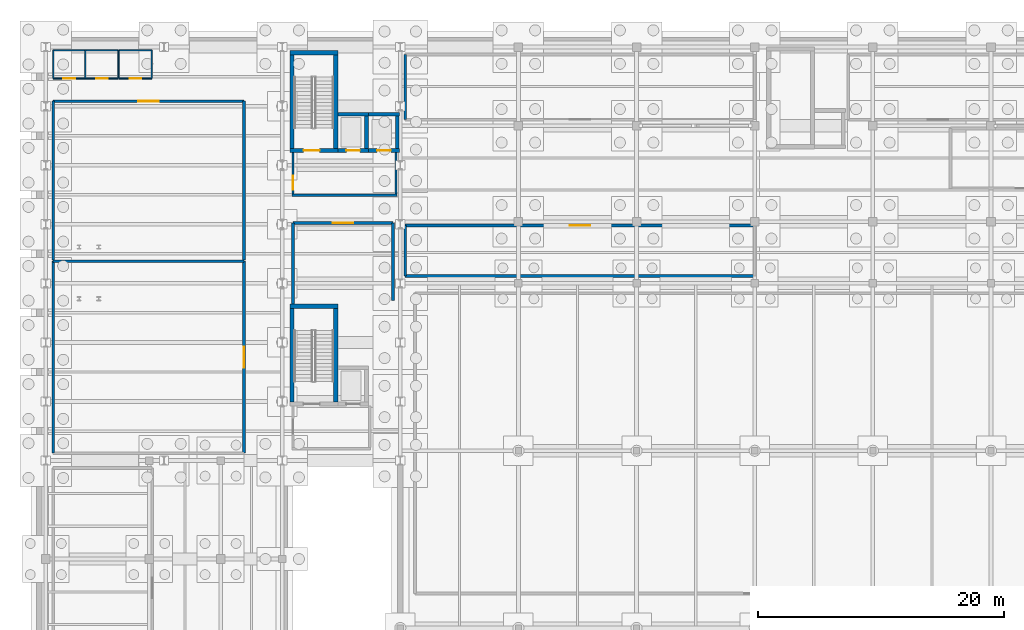
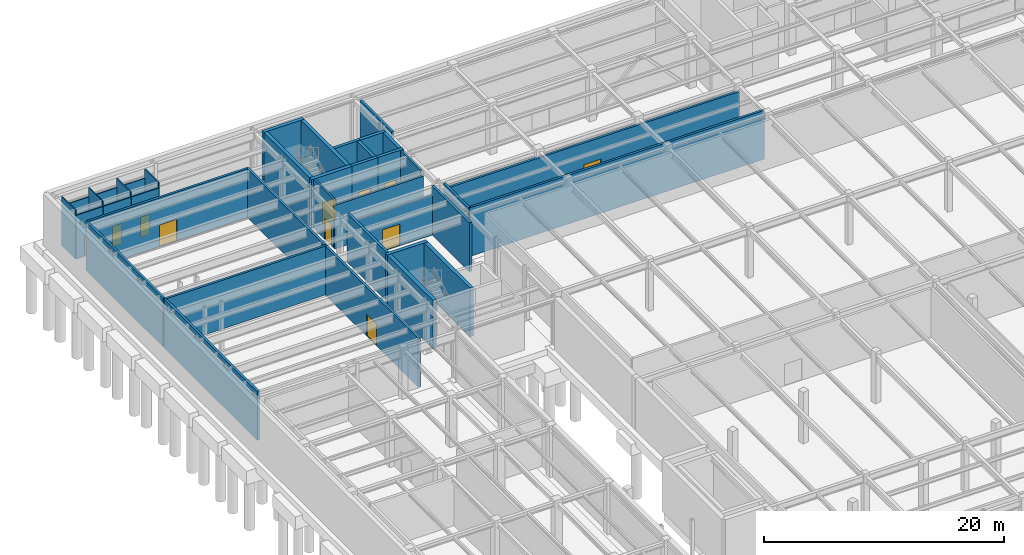
# One storey, part 26 of 33: 39 walls, 11 doors, 11 openings.
"""IFC4 building model written with IfcOpenShell, lengths in metres."""

from ifc_helpers import new_model, si_unit, direction, frame, frame_2d, origin, place, context, subcontext, project, spatial, rectangle, extrude, material, layer, layer_set, type_object, element, fill, save


model = new_model("IFC4")

# Units and contexts
model_context = context("Model", 3, precision=1e-05, world=origin(), true_north=direction((0.0, 1.0)))
body_context = subcontext(model_context, "Body", "Model", "MODEL_VIEW")
ifc_project = project(units=[si_unit("LENGTHUNIT", "METRE"), si_unit("AREAUNIT", "SQUARE_METRE"), si_unit("VOLUMEUNIT", "CUBIC_METRE"), si_unit("PLANEANGLEUNIT", "RADIAN"), si_unit("MASSUNIT", "GRAM", prefix="KILO")], contexts=[model_context])

# Site, building, storey
site_placement = place(None, origin())
site = spatial("IfcSite", under=ifc_project, at=site_placement, CompositionType="ELEMENT")
building_placement = place(site_placement, origin())
building = spatial("IfcBuilding", under=site, at=building_placement, Name="Nordkorset Police Headquarters", CompositionType="ELEMENT")
storey_placement = place(building_placement, frame((0.0, 0.0, -9.800048828125)))
storey = spatial("IfcBuildingStorey", under=building, at=storey_placement, Name="B02", CompositionType="ELEMENT", Elevation=-9.800048828125)

# Wall
ifc_material_1 = material(Name="Gypsum board", Category="gypsum")
ifc_layer_1 = layer(ifc_material_1, 0.179931640625, Name="Gypsum board")
ifc_layer_set_1 = layer_set([ifc_layer_1], Name="Gypsum board")
wall_type_1 = type_object("IfcWallType", Name="Wall_Comp_180", PredefinedType="PARTITIONING", material=ifc_layer_set_1)
wall_1_placement = place(storey_placement, frame((20.0, 104.760009765625, 0.0), z_axis=(0.0, 0.0, 1.0), x_axis=(1.0, 0.0, 0.0)))
element("IfcWall", 1, at=wall_1_placement, inside=storey, type_object=wall_type_1, Name="Firefighting Lobby EI 60 Wall K1 B02 S", PredefinedType="PARTITIONING", context=body_context, shape_type="SweptSolid", body=[
    extrude(rectangle(XDim=8.550048828125, YDim=0.179931640625, at=frame_2d((4.27490234375, 0.0))), origin(), (0.0, 0.0, 1.0), 4.449951171875),
])

# Wall, opening, door
wall_2_placement = place(storey_placement, frame((20.090087890625, 104.85009765625, 0.0), z_axis=(0.0, 0.0, 1.0), x_axis=(0.0, 1.0, 0.0)))
wall_2 = element("IfcWall", 2, at=wall_2_placement, inside=storey, type_object=wall_type_1, Name="Firefighting Lobby EI 60 Wall K1 B02 W", PredefinedType="PARTITIONING", context=body_context, shape_type="SweptSolid", body=[
    extrude(rectangle(XDim=3.375, YDim=0.179931640625, at=frame_2d((1.6875, 0.0))), origin(), (0.0, 0.0, 1.0), 4.969970703125),
])
opening_1_placement = place(wall_2_placement, frame((0.35009765625, 0.0, 0.0)))
opening_1 = element("IfcOpeningElement", 3, at=opening_1_placement, cuts=wall_2, Name="Opening DR-01", PredefinedType="OPENING", context=body_context, shape_type="SweptSolid", body=[
    extrude(rectangle(XDim=1.14990234375, YDim=2.14990234375, at=frame_2d((0.574951171875, 1.074951171875))), frame((0.0, 0.10009765625, 0.0), z_axis=(0.0, -1.0, 0.0), x_axis=(1.0, 0.0, 0.0)), (0.0, 0.0, 1.0), 0.199951171875),
])
ifc_material_2 = material(Name="Steel S355J2", Category="steel")
door_type_1 = type_object("IfcDoorType", Name="Door_LobbySingle_1150x2150", OperationType="NOTDEFINED", PredefinedType="DOOR", material=ifc_material_2)
door_1_placement = place(opening_1_placement, origin())
door_1 = element("IfcDoor", 4, at=door_1_placement, inside=storey, type_object=door_type_1, Name="Firefighting Lobby Smoke Door K1 B02 W", OperationType="SINGLE_SWING_LEFT", OverallHeight=2.14990234375, OverallWidth=1.14990234375, PredefinedType="DOOR", context=body_context, shape_type="SweptSolid", body=[
    extrude(rectangle(XDim=1.14990234375, YDim=2.14990234375, at=frame_2d((0.574951171875, 1.074951171875))), frame((0.0, 0.02490234375, 0.0), z_axis=(0.0, -1.0, 0.0), x_axis=(1.0, 0.0, 0.0)), (0.0, 0.0, 1.0), 0.050048828125),
])
fill(opening_1, door_1)

# Wall
wall_3_placement = place(storey_placement, frame((28.4599609375, 104.85009765625, 0.0), z_axis=(0.0, 0.0, 1.0), x_axis=(0.0, 1.0, 0.0)))
element("IfcWall", 5, at=wall_3_placement, inside=storey, type_object=wall_type_1, Name="Firefighting Lobby EI 60 Wall K1 B02 E", PredefinedType="PARTITIONING", context=body_context, shape_type="SweptSolid", body=[
    extrude(rectangle(XDim=3.375, YDim=0.179931640625, at=frame_2d((1.6875, 0.0))), origin(), (0.0, 0.0, 1.0), 4.969970703125),
])

# Wall, opening, door
ifc_material_3 = material(Name="Gypsum board", Category="gypsum")
ifc_layer_2 = layer(ifc_material_3, 0.219970703125, Name="Gypsum board")
ifc_layer_set_2 = layer_set([ifc_layer_2], Name="Gypsum board")
wall_type_2 = type_object("IfcWallType", Name="Wall_Comp_220", PredefinedType="PARTITIONING", material=ifc_layer_set_2)
wall_4_placement = place(storey_placement, frame((16.10009765625, 83.800048828125, 0.0), z_axis=(0.0, 0.0, 1.0), x_axis=(0.0, 1.0, 0.0)))
wall_4 = element("IfcWall", 6, at=wall_4_placement, inside=storey, type_object=wall_type_2, Name="Interior Partition Wall Sprinkler Water Tank Room", PredefinedType="PARTITIONING", context=body_context, shape_type="SweptSolid", body=[
    extrude(rectangle(XDim=15.599853515625, YDim=0.219970703125, at=frame_2d((7.7998046875, 0.0))), origin(), (0.0, 0.0, 1.0), 4.969970703125),
])
opening_2_placement = place(wall_4_placement, frame((6.9599609375, 0.0, 0.0)))
opening_2 = element("IfcOpeningElement", 7, at=opening_2_placement, cuts=wall_4, Name="Opening DR-15", PredefinedType="OPENING", context=body_context, shape_type="SweptSolid", body=[
    extrude(rectangle(XDim=1.679931640625, YDim=2.199951171875, at=frame_2d((0.83984375, 1.10009765625))), frame((0.0, 0.1201171875, 0.0), z_axis=(0.0, -1.0, 0.0), x_axis=(1.0, 0.0, 0.0)), (0.0, 0.0, 1.0), 0.239990234375),
])
ifc_material_4 = material(Name="Steel S355J2", Category="steel")
door_type_2 = type_object("IfcDoorType", Name="Door_PlantDouble_1680x2200", OperationType="DOUBLE_DOOR_SINGLE_SWING", PredefinedType="DOOR", material=ifc_material_4)
door_2_placement = place(opening_2_placement, origin())
door_2 = element("IfcDoor", 8, at=door_2_placement, inside=storey, type_object=door_type_2, Name="Interior Door Sprinkler Water Tank Room", OperationType="DOUBLE_DOOR_SINGLE_SWING", OverallHeight=2.199951171875, OverallWidth=1.679931640625, PredefinedType="DOOR", context=body_context, shape_type="SweptSolid", body=[
    extrude(rectangle(XDim=1.679931640625, YDim=2.199951171875, at=frame_2d((0.83984375, 1.10009765625))), frame((0.0, 0.02490234375, 0.0), z_axis=(0.0, -1.0, 0.0), x_axis=(1.0, 0.0, 0.0)), (0.0, 0.0, 1.0), 0.050048828125),
])
fill(opening_2, door_2)

# Walls
wall_5_placement = place(storey_placement, frame((16.10009765625, 99.39990234375, 0.0), z_axis=(0.0, 0.0, 1.0), x_axis=(-1.0, 0.0, 0.0)))
element("IfcWall", 9, at=wall_5_placement, inside=storey, type_object=wall_type_2, Name="Interior Partition Wall Sprinkler Water Tank Room", PredefinedType="PARTITIONING", context=body_context, shape_type="SweptSolid", body=[
    extrude(rectangle(XDim=15.5, YDim=0.219970703125, at=frame_2d((7.75, 0.0))), origin(), (0.0, 0.0, 1.0), 4.969970703125),
])
wall_6_placement = place(storey_placement, frame((0.60009765625, 99.39990234375, 0.0), z_axis=(0.0, 0.0, 1.0), x_axis=(0.0, -1.0, 0.0)))
element("IfcWall", 10, at=wall_6_placement, inside=storey, type_object=wall_type_2, Name="Interior Partition Wall Sprinkler Water Tank Room", PredefinedType="PARTITIONING", context=body_context, shape_type="SweptSolid", body=[
    extrude(rectangle(XDim=15.599853515625, YDim=0.219970703125, at=frame_2d((7.7998046875, 0.0))), origin(), (0.0, 0.0, 1.0), 4.969970703125),
])
wall_7_placement = place(storey_placement, frame((16.10009765625, 99.5048828125, 0.0), z_axis=(0.0, 0.0, 1.0), x_axis=(0.0, 1.0, 0.0)))
element("IfcWall", 11, at=wall_7_placement, inside=storey, type_object=wall_type_2, Name="Interior Partition Wall District Heating Substation", PredefinedType="PARTITIONING", context=body_context, shape_type="SweptSolid", body=[
    extrude(rectangle(XDim=12.89501953125, YDim=0.219970703125, at=frame_2d((6.447509765625, 0.0))), origin(), (0.0, 0.0, 1.0), 4.969970703125),
])

# Wall, opening, door
wall_8_placement = place(storey_placement, frame((16.10009765625, 112.39990234375, 0.0), z_axis=(0.0, 0.0, 1.0), x_axis=(-1.0, 0.0, 0.0)))
wall_8 = element("IfcWall", 12, at=wall_8_placement, inside=storey, type_object=wall_type_2, Name="Interior Partition Wall District Heating Substation", PredefinedType="PARTITIONING", context=body_context, shape_type="SweptSolid", body=[
    extrude(rectangle(XDim=15.5, YDim=0.219970703125, at=frame_2d((7.75, 0.0))), origin(), (0.0, 0.0, 1.0), 4.969970703125),
])
opening_3_placement = place(wall_8_placement, frame((6.909912109375, 0.0, 0.0)))
opening_3 = element("IfcOpeningElement", 13, at=opening_3_placement, cuts=wall_8, Name="Opening DR-15", PredefinedType="OPENING", context=body_context, shape_type="SweptSolid", body=[
    extrude(rectangle(XDim=1.679931640625, YDim=2.199951171875, at=frame_2d((0.83984375, 1.10009765625))), frame((0.0, 0.1201171875, 0.0), z_axis=(0.0, -1.0, 0.0), x_axis=(1.0, 0.0, 0.0)), (0.0, 0.0, 1.0), 0.239990234375),
])
door_3_placement = place(opening_3_placement, frame((1.679931640625, 0.0, 0.0), z_axis=(0.0, 0.0, 1.0), x_axis=(-1.0, 0.0, 0.0)))
door_3 = element("IfcDoor", 14, at=door_3_placement, inside=storey, type_object=door_type_2, Name="Interior Door District Heating Substation", OperationType="DOUBLE_DOOR_SINGLE_SWING", OverallHeight=2.199951171875, OverallWidth=1.679931640625, PredefinedType="DOOR", context=body_context, shape_type="SweptSolid", body=[
    extrude(rectangle(XDim=1.679931640625, YDim=2.199951171875, at=frame_2d((0.83984375, 1.10009765625))), frame((0.0, 0.02490234375, 0.0), z_axis=(0.0, -1.0, 0.0), x_axis=(1.0, 0.0, 0.0)), (0.0, 0.0, 1.0), 0.050048828125),
])
fill(opening_3, door_3)

# Walls
wall_9_placement = place(storey_placement, frame((0.60009765625, 112.39990234375, 0.0), z_axis=(0.0, 0.0, 1.0), x_axis=(0.0, -1.0, 0.0)))
element("IfcWall", 15, at=wall_9_placement, inside=storey, type_object=wall_type_2, Name="Interior Partition Wall District Heating Substation", PredefinedType="PARTITIONING", context=body_context, shape_type="SweptSolid", body=[
    extrude(rectangle(XDim=12.89501953125, YDim=0.219970703125, at=frame_2d((6.447509765625, 0.0))), origin(), (0.0, 0.0, 1.0), 4.969970703125),
])
wall_10_placement = place(storey_placement, frame((29.199951171875, 116.199951171875, 0.0), z_axis=(0.0, 0.0, 1.0), x_axis=(0.0, -1.0, 0.0)))
element("IfcWall", 16, at=wall_10_placement, inside=storey, type_object=wall_type_2, Name="Interior Partition Wall Compact Mobile Shelving Archive West", PredefinedType="PARTITIONING", context=body_context, shape_type="SweptSolid", body=[
    extrude(rectangle(XDim=5.300048828125, YDim=0.219970703125, at=frame_2d((2.64990234375, 0.0))), origin(), (0.0, 0.0, 1.0), 4.969970703125),
])
wall_11_placement = place(storey_placement, frame((29.199951171875, 98.199951171875, 0.0), z_axis=(0.0, 0.0, 1.0), x_axis=(1.0, 0.0, 0.0)))
element("IfcWall", 17, at=wall_11_placement, inside=storey, type_object=wall_type_2, Name="Interior Partition Wall Main Switchgear Plant Room", PredefinedType="PARTITIONING", context=body_context, shape_type="SweptSolid", body=[
    extrude(rectangle(XDim=28.400146484375, YDim=0.219970703125, at=frame_2d((14.2001953125, 0.0))), origin(), (0.0, 0.0, 1.0), 4.969970703125),
])

# Wall, opening, door
wall_12_placement = place(storey_placement, frame((57.60009765625, 102.300048828125, 0.0), z_axis=(0.0, 0.0, 1.0), x_axis=(-1.0, 0.0, 0.0)))
wall_12 = element("IfcWall", 18, at=wall_12_placement, inside=storey, type_object=wall_type_2, Name="Interior Partition Wall Main Switchgear Plant Room", PredefinedType="PARTITIONING", context=body_context, shape_type="SweptSolid", body=[
    extrude(rectangle(XDim=28.400146484375, YDim=0.219970703125, at=frame_2d((14.2001953125, 0.0))), origin(), (0.0, 0.0, 1.0), 4.41015625),
])
opening_4_placement = place(wall_12_placement, frame((13.360107421875, 0.0, 0.0)))
opening_4 = element("IfcOpeningElement", 19, at=opening_4_placement, cuts=wall_12, Name="Opening DR-15", PredefinedType="OPENING", context=body_context, shape_type="SweptSolid", body=[
    extrude(rectangle(XDim=1.679931640625, YDim=2.199951171875, at=frame_2d((0.83984375, 1.10009765625))), frame((0.0, 0.1201171875, 0.0), z_axis=(0.0, -1.0, 0.0), x_axis=(1.0, 0.0, 0.0)), (0.0, 0.0, 1.0), 0.239990234375),
])
door_4_placement = place(opening_4_placement, origin())
door_4 = element("IfcDoor", 20, at=door_4_placement, inside=storey, type_object=door_type_2, Name="Interior Door Main Switchgear Plant Room", OperationType="DOUBLE_DOOR_SINGLE_SWING", OverallHeight=2.199951171875, OverallWidth=1.679931640625, PredefinedType="DOOR", context=body_context, shape_type="SweptSolid", body=[
    extrude(rectangle(XDim=1.679931640625, YDim=2.199951171875, at=frame_2d((0.83984375, 1.10009765625))), frame((0.0, 0.02490234375, 0.0), z_axis=(0.0, -1.0, 0.0), x_axis=(1.0, 0.0, 0.0)), (0.0, 0.0, 1.0), 0.050048828125),
])
fill(opening_4, door_4)

# Wall
wall_13_placement = place(storey_placement, frame((29.199951171875, 102.300048828125, 0.0), z_axis=(0.0, 0.0, 1.0), x_axis=(0.0, -1.0, 0.0)))
element("IfcWall", 21, at=wall_13_placement, inside=storey, type_object=wall_type_2, Name="Interior Partition Wall Main Switchgear Plant Room", PredefinedType="PARTITIONING", context=body_context, shape_type="SweptSolid", body=[
    extrude(rectangle(XDim=4.10009765625, YDim=0.219970703125, at=frame_2d((2.050048828125, 0.0))), origin(), (0.0, 0.0, 1.0), 4.969970703125),
])

# Wall, opening, door
ifc_material_5 = material(Name="Concrete C35/45", Category="concrete")
ifc_layer_3 = layer(ifc_material_5, 0.35009765625, Name="Concrete C35/45")
ifc_layer_set_3 = layer_set([ifc_layer_3], Name="Concrete C35/45")
wall_type_3 = type_object("IfcWallType", Name="Wall_CoreShear_350", PredefinedType="SHEAR", material=ifc_layer_set_3)
wall_14_placement = place(storey_placement, frame((19.824951171875, 108.39990234375, 0.0), z_axis=(0.0, 0.0, 1.0), x_axis=(1.0, 0.0, 0.0)))
wall_14 = element("IfcWall", 22, at=wall_14_placement, inside=storey, type_object=wall_type_3, Name="Core K1 Stair Shaft South Shear Wall B02", PredefinedType="SHEAR", context=body_context, shape_type="SweptSolid", body=[
    extrude(rectangle(XDim=3.900146484375, YDim=0.35009765625, at=frame_2d((1.9501953125, 0.0))), origin(), (0.0, 0.0, 1.0), 4.969970703125),
])
opening_5_placement = place(wall_14_placement, frame((1.125, 0.0, 0.0)))
opening_5 = element("IfcOpeningElement", 23, at=opening_5_placement, cuts=wall_14, Name="Opening DR-20", PredefinedType="OPENING", context=body_context, shape_type="SweptSolid", body=[
    extrude(rectangle(XDim=1.300048828125, YDim=2.14990234375, at=frame_2d((0.64990234375, 1.074951171875))), frame((0.0, 0.18505859375, 0.0), z_axis=(0.0, -1.0, 0.0), x_axis=(1.0, 0.0, 0.0)), (0.0, 0.0, 1.0), 0.3701171875),
])
ifc_material_6 = material(Name="Steel S355J2", Category="steel")
door_type_3 = type_object("IfcDoorType", Name="Door_Stair_1300x2150", OperationType="NOTDEFINED", PredefinedType="DOOR", material=ifc_material_6)
door_5_placement = place(opening_5_placement, frame((1.300048828125, 0.0, 0.0), z_axis=(0.0, 0.0, 1.0), x_axis=(-1.0, 0.0, 0.0)))
door_5 = element("IfcDoor", 24, at=door_5_placement, inside=storey, type_object=door_type_3, Name="Protected Stair Fire Door ST-01 B02", OperationType="SINGLE_SWING_LEFT", OverallHeight=2.14990234375, OverallWidth=1.300048828125, PredefinedType="DOOR", context=body_context, shape_type="SweptSolid", body=[
    extrude(rectangle(XDim=1.300048828125, YDim=2.14990234375, at=frame_2d((0.64990234375, 1.074951171875))), frame((0.0, 0.02490234375, 0.0), z_axis=(0.0, -1.0, 0.0), x_axis=(1.0, 0.0, 0.0)), (0.0, 0.0, 1.0), 0.050048828125),
])
fill(opening_5, door_5)

# Walls
wall_15_placement = place(storey_placement, frame((19.824951171875, 116.35009765625, 0.0), z_axis=(0.0, 0.0, 1.0), x_axis=(1.0, 0.0, 0.0)))
element("IfcWall", 25, at=wall_15_placement, inside=storey, type_object=wall_type_3, Name="Core K1 Stair Shaft North Shear Wall B02", PredefinedType="SHEAR", context=body_context, shape_type="SweptSolid", body=[
    extrude(rectangle(XDim=3.900146484375, YDim=0.35009765625, at=frame_2d((1.9501953125, 0.0))), origin(), (0.0, 0.0, 1.0), 4.969970703125),
])
for number, where, z_axis, x_axis, name in (
    (26, (20.0, 108.574951171875, 0.0), (0.0, 0.0, 1.0), (0.0, 1.0, 0.0), "Core K1 Stair Shaft West Shear Wall B02"),
    (27, (23.550048828125, 108.574951171875, 0.0), (0.0, 0.0, 1.0), (0.0, 1.0, 0.0), "Core K1 Stair Shaft East Shear Wall B02"),
):
    element("IfcWall", number, at=place(storey_placement, frame(where, z_axis=z_axis, x_axis=x_axis)), inside=storey, type_object=wall_type_3, Name=name, PredefinedType="SHEAR", context=body_context, shape_type="SweptSolid", body=[
        extrude(rectangle(XDim=7.60009765625, YDim=0.35009765625, at=frame_2d((3.800048828125, 0.0))), origin(), (0.0, 0.0, 1.0), 4.969970703125),
    ])
wall_16_placement = place(storey_placement, frame((19.824951171875, 95.75, 0.0), z_axis=(0.0, 0.0, 1.0), x_axis=(1.0, 0.0, 0.0)))
element("IfcWall", 28, at=wall_16_placement, inside=storey, type_object=wall_type_3, Name="Core K3 Stair Shaft North Shear Wall B02", PredefinedType="SHEAR", context=body_context, shape_type="SweptSolid", body=[
    extrude(rectangle(XDim=3.900146484375, YDim=0.35009765625, at=frame_2d((1.9501953125, 0.0))), origin(), (0.0, 0.0, 1.0), 4.969970703125),
])
for number, where, z_axis, x_axis, name in (
    (29, (20.0, 87.97509765625, 0.0), (0.0, 0.0, 1.0), (0.0, 1.0, 0.0), "Core K3 Stair Shaft West Shear Wall B02"),
    (30, (23.550048828125, 87.97509765625, 0.0), (0.0, 0.0, 1.0), (0.0, 1.0, 0.0), "Core K3 Stair Shaft East Shear Wall B02"),
):
    element("IfcWall", number, at=place(storey_placement, frame(where, z_axis=z_axis, x_axis=x_axis)), inside=storey, type_object=wall_type_3, Name=name, PredefinedType="SHEAR", context=body_context, shape_type="SweptSolid", body=[
        extrude(rectangle(XDim=7.599853515625, YDim=0.35009765625, at=frame_2d((3.7998046875, 0.0))), origin(), (0.0, 0.0, 1.0), 4.969970703125),
    ])

# Wall, opening, door
ifc_material_7 = material(Name="Gypsum board", Category="gypsum")
ifc_layer_4 = layer(ifc_material_7, 0.10009765625, Name="Gypsum board")
ifc_layer_set_4 = layer_set([ifc_layer_4], Name="Gypsum board")
wall_type_4 = type_object("IfcWallType", Name="Wall_Part_100", PredefinedType="PARTITIONING", material=ifc_layer_set_4)
wall_17_placement = place(storey_placement, frame((0.60009765625, 114.25, 0.0), z_axis=(0.0, 0.0, 1.0), x_axis=(1.0, 0.0, 0.0)))
wall_17 = element("IfcWall", 31, at=wall_17_placement, inside=storey, type_object=wall_type_4, Name="Interior Partition Wall Accessible WC B02W", PredefinedType="PARTITIONING", context=body_context, shape_type="SweptSolid", body=[
    extrude(rectangle(XDim=2.599853515625, YDim=0.10009765625, at=frame_2d((1.2998046875, 0.0))), origin(), (0.0, 0.0, 1.0), 4.449951171875),
])
opening_6_placement = place(wall_17_placement, frame((0.800048828125, 0.0, 0.0)))
opening_6 = element("IfcOpeningElement", 32, at=opening_6_placement, cuts=wall_17, Name="Opening DR-23", PredefinedType="OPENING", context=body_context, shape_type="SweptSolid", body=[
    extrude(rectangle(XDim=1.0, YDim=2.080078125, at=frame_2d((0.5, 1.0400390625))), frame((0.0, 0.06005859375, 0.0), z_axis=(0.0, -1.0, 0.0), x_axis=(1.0, 0.0, 0.0)), (0.0, 0.0, 1.0), 0.1201171875),
])
ifc_material_8 = material(Name="Glulam GL30c", Category="wood")
door_type_4 = type_object("IfcDoorType", Name="Door_WCAccess_1000x2080", OperationType="NOTDEFINED", PredefinedType="DOOR", material=ifc_material_8)
door_6_placement = place(opening_6_placement, origin())
door_6 = element("IfcDoor", 33, at=door_6_placement, inside=storey, type_object=door_type_4, Name="Interior Door Accessible WC B02W", OperationType="SINGLE_SWING_LEFT", OverallHeight=2.080078125, OverallWidth=1.0, PredefinedType="DOOR", context=body_context, shape_type="SweptSolid", body=[
    extrude(rectangle(XDim=1.0, YDim=2.080078125, at=frame_2d((0.5, 1.0400390625))), frame((0.0, 0.02490234375, 0.0), z_axis=(0.0, -1.0, 0.0), x_axis=(1.0, 0.0, 0.0)), (0.0, 0.0, 1.0), 0.050048828125),
])
fill(opening_6, door_6)

# Walls
wall_18_placement = place(storey_placement, frame((3.199951171875, 114.25, 0.0), z_axis=(0.0, 0.0, 1.0), x_axis=(0.0, 1.0, 0.0)))
element("IfcWall", 34, at=wall_18_placement, inside=storey, type_object=wall_type_4, Name="Interior Partition Wall Accessible WC B02W", PredefinedType="PARTITIONING", context=body_context, shape_type="SweptSolid", body=[
    extrude(rectangle(XDim=2.300048828125, YDim=0.10009765625, at=frame_2d((1.14990234375, 0.0))), origin(), (0.0, 0.0, 1.0), 4.969970703125),
])
wall_19_placement = place(storey_placement, frame((3.199951171875, 116.550048828125, 0.0), z_axis=(0.0, 0.0, 1.0), x_axis=(-1.0, 0.0, 0.0)))
element("IfcWall", 35, at=wall_19_placement, inside=storey, type_object=wall_type_4, Name="Interior Partition Wall Accessible WC B02W", PredefinedType="PARTITIONING", context=body_context, shape_type="SweptSolid", body=[
    extrude(rectangle(XDim=2.599853515625, YDim=0.10009765625, at=frame_2d((1.2998046875, 0.0))), origin(), (0.0, 0.0, 1.0), 4.050048828125),
])
wall_20_placement = place(storey_placement, frame((0.60009765625, 116.550048828125, 0.0), z_axis=(0.0, 0.0, 1.0), x_axis=(0.0, -1.0, 0.0)))
element("IfcWall", 36, at=wall_20_placement, inside=storey, type_object=wall_type_4, Name="Interior Partition Wall Accessible WC B02W", PredefinedType="PARTITIONING", context=body_context, shape_type="SweptSolid", body=[
    extrude(rectangle(XDim=2.300048828125, YDim=0.10009765625, at=frame_2d((1.14990234375, 0.0))), origin(), (0.0, 0.0, 1.0), 4.969970703125),
])

# Wall, opening, door
wall_21_placement = place(storey_placement, frame((3.2451171875, 114.25, 0.0), z_axis=(0.0, 0.0, 1.0), x_axis=(1.0, 0.0, 0.0)))
wall_21 = element("IfcWall", 37, at=wall_21_placement, inside=storey, type_object=wall_type_4, Name="Interior Partition Wall Staff Female WC B02W", PredefinedType="PARTITIONING", context=body_context, shape_type="SweptSolid", body=[
    extrude(rectangle(XDim=2.65478515625, YDim=0.10009765625, at=frame_2d((1.327392578125, 0.0))), origin(), (0.0, 0.0, 1.0), 4.449951171875),
])
opening_7_placement = place(wall_21_placement, frame((0.867431640625, 0.0, 0.0)))
opening_7 = element("IfcOpeningElement", 38, at=opening_7_placement, cuts=wall_21, Name="Opening DR-21", PredefinedType="OPENING", context=body_context, shape_type="SweptSolid", body=[
    extrude(rectangle(XDim=0.919921875, YDim=2.080078125, at=frame_2d((0.4599609375, 1.0400390625))), frame((0.0, 0.06005859375, 0.0), z_axis=(0.0, -1.0, 0.0), x_axis=(1.0, 0.0, 0.0)), (0.0, 0.0, 1.0), 0.1201171875),
])
ifc_material_9 = material(Name="Glulam GL30c", Category="wood")
door_type_5 = type_object("IfcDoorType", Name="Door_WCStaff_920x2080", OperationType="NOTDEFINED", PredefinedType="DOOR", material=ifc_material_9)
door_7_placement = place(opening_7_placement, frame((0.919921875, 0.0, 0.0), z_axis=(0.0, 0.0, 1.0), x_axis=(-1.0, 0.0, 0.0)))
door_7 = element("IfcDoor", 39, at=door_7_placement, inside=storey, type_object=door_type_5, Name="Interior Door Staff Female WC B02W", OperationType="SINGLE_SWING_RIGHT", OverallHeight=2.080078125, OverallWidth=0.919921875, PredefinedType="DOOR", context=body_context, shape_type="SweptSolid", body=[
    extrude(rectangle(XDim=0.919921875, YDim=2.080078125, at=frame_2d((0.4599609375, 1.0400390625))), frame((0.0, 0.02490234375, 0.0), z_axis=(0.0, -1.0, 0.0), x_axis=(1.0, 0.0, 0.0)), (0.0, 0.0, 1.0), 0.050048828125),
])
fill(opening_7, door_7)

# Walls
wall_22_placement = place(storey_placement, frame((5.89990234375, 114.25, 0.0), z_axis=(0.0, 0.0, 1.0), x_axis=(0.0, 1.0, 0.0)))
element("IfcWall", 40, at=wall_22_placement, inside=storey, type_object=wall_type_4, Name="Interior Partition Wall Staff Female WC B02W", PredefinedType="PARTITIONING", context=body_context, shape_type="SweptSolid", body=[
    extrude(rectangle(XDim=2.300048828125, YDim=0.10009765625, at=frame_2d((1.14990234375, 0.0))), origin(), (0.0, 0.0, 1.0), 4.969970703125),
])
wall_23_placement = place(storey_placement, frame((5.89990234375, 116.550048828125, 0.0), z_axis=(0.0, 0.0, 1.0), x_axis=(-1.0, 0.0, 0.0)))
element("IfcWall", 41, at=wall_23_placement, inside=storey, type_object=wall_type_4, Name="Interior Partition Wall Staff Female WC B02W", PredefinedType="PARTITIONING", context=body_context, shape_type="SweptSolid", body=[
    extrude(rectangle(XDim=2.65478515625, YDim=0.10009765625, at=frame_2d((1.327392578125, 0.0))), origin(), (0.0, 0.0, 1.0), 4.050048828125),
])

# Wall, opening, door
wall_24_placement = place(storey_placement, frame((5.945068359375, 114.25, 0.0), z_axis=(0.0, 0.0, 1.0), x_axis=(1.0, 0.0, 0.0)))
wall_24 = element("IfcWall", 42, at=wall_24_placement, inside=storey, type_object=wall_type_4, Name="Interior Partition Wall Staff Male WC B02W", PredefinedType="PARTITIONING", context=body_context, shape_type="SweptSolid", body=[
    extrude(rectangle(XDim=2.655029296875, YDim=0.10009765625, at=frame_2d((1.32763671875, 0.0))), origin(), (0.0, 0.0, 1.0), 4.449951171875),
])
opening_8_placement = place(wall_24_placement, frame((0.867431640625, 0.0, 0.0)))
opening_8 = element("IfcOpeningElement", 43, at=opening_8_placement, cuts=wall_24, Name="Opening DR-21", PredefinedType="OPENING", context=body_context, shape_type="SweptSolid", body=[
    extrude(rectangle(XDim=0.919921875, YDim=2.080078125, at=frame_2d((0.4599609375, 1.0400390625))), frame((0.0, 0.06005859375, 0.0), z_axis=(0.0, -1.0, 0.0), x_axis=(1.0, 0.0, 0.0)), (0.0, 0.0, 1.0), 0.1201171875),
])
door_8_placement = place(opening_8_placement, origin())
door_8 = element("IfcDoor", 44, at=door_8_placement, inside=storey, type_object=door_type_5, Name="Interior Door Staff Male WC B02W", OperationType="SINGLE_SWING_LEFT", OverallHeight=2.080078125, OverallWidth=0.919921875, PredefinedType="DOOR", context=body_context, shape_type="SweptSolid", body=[
    extrude(rectangle(XDim=0.919921875, YDim=2.080078125, at=frame_2d((0.4599609375, 1.0400390625))), frame((0.0, 0.02490234375, 0.0), z_axis=(0.0, -1.0, 0.0), x_axis=(1.0, 0.0, 0.0)), (0.0, 0.0, 1.0), 0.050048828125),
])
fill(opening_8, door_8)

# Walls
wall_25_placement = place(storey_placement, frame((8.60009765625, 114.25, 0.0), z_axis=(0.0, 0.0, 1.0), x_axis=(0.0, 1.0, 0.0)))
element("IfcWall", 45, at=wall_25_placement, inside=storey, type_object=wall_type_4, Name="Interior Partition Wall Staff Male WC B02W", PredefinedType="PARTITIONING", context=body_context, shape_type="SweptSolid", body=[
    extrude(rectangle(XDim=2.300048828125, YDim=0.10009765625, at=frame_2d((1.14990234375, 0.0))), origin(), (0.0, 0.0, 1.0), 4.969970703125),
])
wall_26_placement = place(storey_placement, frame((8.60009765625, 116.550048828125, 0.0), z_axis=(0.0, 0.0, 1.0), x_axis=(-1.0, 0.0, 0.0)))
element("IfcWall", 46, at=wall_26_placement, inside=storey, type_object=wall_type_4, Name="Interior Partition Wall Staff Male WC B02W", PredefinedType="PARTITIONING", context=body_context, shape_type="SweptSolid", body=[
    extrude(rectangle(XDim=2.655029296875, YDim=0.10009765625, at=frame_2d((1.32763671875, 0.0))), origin(), (0.0, 0.0, 1.0), 4.050048828125),
])

# Wall, opening, door
ifc_material_10 = material(Name="Concrete C35/45", Category="concrete")
ifc_layer_5 = layer(ifc_material_10, 0.300048828125, Name="Concrete C35/45")
ifc_layer_set_5 = layer_set([ifc_layer_5], Name="Concrete C35/45")
wall_type_5 = type_object("IfcWallType", Name="Wall_ShaftShear_300", PredefinedType="SHEAR", material=ifc_layer_set_5)
wall_27_placement = place(storey_placement, frame((23.72509765625, 108.39990234375, 0.0), z_axis=(0.0, 0.0, 1.0), x_axis=(1.0, 0.0, 0.0)))
wall_27 = element("IfcWall", 47, at=wall_27_placement, inside=storey, type_object=wall_type_5, Name="Lift Shaft LF-01 Front Shear Wall B02", PredefinedType="SHEAR", context=body_context, shape_type="SweptSolid", body=[
    extrude(rectangle(XDim=2.5, YDim=0.300048828125, at=frame_2d((1.25, 0.0))), origin(), (0.0, 0.0, 1.0), 4.969970703125),
])
opening_9_placement = place(wall_27_placement, frame((0.699951171875, 0.0, 0.0)))
opening_9 = element("IfcOpeningElement", 48, at=opening_9_placement, cuts=wall_27, Name="Opening LD-01", PredefinedType="OPENING", context=body_context, shape_type="SweptSolid", body=[
    extrude(rectangle(XDim=1.10009765625, YDim=2.10009765625, at=frame_2d((0.550048828125, 1.050048828125))), frame((0.0, 0.16015625, 0.0), z_axis=(0.0, -1.0, 0.0), x_axis=(1.0, 0.0, 0.0)), (0.0, 0.0, 1.0), 0.320068359375),
])
ifc_material_11 = material(Name="Steel S355J2", Category="steel")
door_type_6 = type_object("IfcDoorType", Name="Door_LiftLanding_1100x2100", OperationType="SLIDING_TO_LEFT", PredefinedType="DOOR", material=ifc_material_11)
door_9_placement = place(opening_9_placement, frame((1.10009765625, 0.0, 0.0), z_axis=(0.0, 0.0, 1.0), x_axis=(-1.0, 0.0, 0.0)))
door_9 = element("IfcDoor", 49, at=door_9_placement, inside=storey, type_object=door_type_6, Name="Lift Landing Sliding Door LF-01 B02", OperationType="SLIDING_TO_LEFT", OverallHeight=2.10009765625, OverallWidth=1.10009765625, PredefinedType="DOOR", context=body_context, shape_type="SweptSolid", body=[
    extrude(rectangle(XDim=1.10009765625, YDim=2.10009765625, at=frame_2d((0.550048828125, 1.050048828125))), frame((0.0, 0.02490234375, 0.0), z_axis=(0.0, -1.0, 0.0), x_axis=(1.0, 0.0, 0.0)), (0.0, 0.0, 1.0), 0.050048828125),
])
fill(opening_9, door_9)

# Walls
wall_28_placement = place(storey_placement, frame((23.72509765625, 111.35009765625, 0.0), z_axis=(0.0, 0.0, 1.0), x_axis=(1.0, 0.0, 0.0)))
element("IfcWall", 50, at=wall_28_placement, inside=storey, type_object=wall_type_5, Name="Lift Shaft LF-01 Rear Shear Wall B02", PredefinedType="SHEAR", context=body_context, shape_type="SweptSolid", body=[
    extrude(rectangle(XDim=2.5, YDim=0.300048828125, at=frame_2d((1.25, 0.0))), origin(), (0.0, 0.0, 1.0), 4.969970703125),
])
wall_29_placement = place(storey_placement, frame((26.050048828125, 108.550048828125, 0.0), z_axis=(0.0, 0.0, 1.0), x_axis=(0.0, 1.0, 0.0)))
element("IfcWall", 51, at=wall_29_placement, inside=storey, type_object=wall_type_5, Name="Lift Shaft LF-01 East Shear Wall B02", PredefinedType="SHEAR", context=body_context, shape_type="SweptSolid", body=[
    extrude(rectangle(XDim=2.64990234375, YDim=0.300048828125, at=frame_2d((1.324951171875, 0.0))), origin(), (0.0, 0.0, 1.0), 4.969970703125),
])

# Wall, opening, door
wall_30_placement = place(storey_placement, frame((26.22509765625, 108.39990234375, 0.0), z_axis=(0.0, 0.0, 1.0), x_axis=(1.0, 0.0, 0.0)))
wall_30 = element("IfcWall", 52, at=wall_30_placement, inside=storey, type_object=wall_type_5, Name="Lift Shaft LF-02 Front Shear Wall B02", PredefinedType="SHEAR", context=body_context, shape_type="SweptSolid", body=[
    extrude(rectangle(XDim=2.5, YDim=0.300048828125, at=frame_2d((1.25, 0.0))), origin(), (0.0, 0.0, 1.0), 4.969970703125),
])
opening_10_placement = place(wall_30_placement, frame((0.699951171875, 0.0, 0.0)))
opening_10 = element("IfcOpeningElement", 53, at=opening_10_placement, cuts=wall_30, Name="Opening LD-02", PredefinedType="OPENING", context=body_context, shape_type="SweptSolid", body=[
    extrude(rectangle(XDim=1.10009765625, YDim=2.10009765625, at=frame_2d((0.550048828125, 1.050048828125))), frame((0.0, 0.16015625, 0.0), z_axis=(0.0, -1.0, 0.0), x_axis=(1.0, 0.0, 0.0)), (0.0, 0.0, 1.0), 0.320068359375),
])
door_10_placement = place(opening_10_placement, frame((1.10009765625, 0.0, 0.0), z_axis=(0.0, 0.0, 1.0), x_axis=(-1.0, 0.0, 0.0)))
door_10 = element("IfcDoor", 54, at=door_10_placement, inside=storey, type_object=door_type_6, Name="Lift Landing Sliding Door LF-02 B02", OperationType="SLIDING_TO_LEFT", OverallHeight=2.10009765625, OverallWidth=1.10009765625, PredefinedType="DOOR", context=body_context, shape_type="SweptSolid", body=[
    extrude(rectangle(XDim=1.10009765625, YDim=2.10009765625, at=frame_2d((0.550048828125, 1.050048828125))), frame((0.0, 0.02490234375, 0.0), z_axis=(0.0, -1.0, 0.0), x_axis=(1.0, 0.0, 0.0)), (0.0, 0.0, 1.0), 0.050048828125),
])
fill(opening_10, door_10)

# Walls
wall_31_placement = place(storey_placement, frame((26.22509765625, 111.35009765625, 0.0), z_axis=(0.0, 0.0, 1.0), x_axis=(1.0, 0.0, 0.0)))
element("IfcWall", 55, at=wall_31_placement, inside=storey, type_object=wall_type_5, Name="Lift Shaft LF-02 Rear Shear Wall B02", PredefinedType="SHEAR", context=body_context, shape_type="SweptSolid", body=[
    extrude(rectangle(XDim=2.5, YDim=0.300048828125, at=frame_2d((1.25, 0.0))), origin(), (0.0, 0.0, 1.0), 4.969970703125),
])
wall_32_placement = place(storey_placement, frame((28.550048828125, 108.550048828125, 0.0), z_axis=(0.0, 0.0, 1.0), x_axis=(0.0, 1.0, 0.0)))
element("IfcWall", 56, at=wall_32_placement, inside=storey, type_object=wall_type_5, Name="Lift Shaft LF-02 East Shear Wall B02", PredefinedType="SHEAR", context=body_context, shape_type="SweptSolid", body=[
    extrude(rectangle(XDim=2.64990234375, YDim=0.300048828125, at=frame_2d((1.324951171875, 0.0))), origin(), (0.0, 0.0, 1.0), 4.969970703125),
])
ifc_material_12 = material(Name="Concrete C35/45", Category="concrete")
ifc_layer_6 = layer(ifc_material_12, 0.25, Name="Concrete C35/45")
ifc_layer_set_6 = layer_set([ifc_layer_6], Name="Concrete C35/45")
wall_type_6 = type_object("IfcWallType", Name="Wall_VaultRC_250", PredefinedType="SOLIDWALL", material=ifc_layer_set_6)
wall_33_placement = place(storey_placement, frame((28.199951171875, 96.199951171875, 0.0), z_axis=(0.0, 0.0, 1.0), x_axis=(0.0, 1.0, 0.0)))
element("IfcWall", 57, at=wall_33_placement, inside=storey, type_object=wall_type_6, Name="Interior Partition Wall Fire Booster Pump Room", PredefinedType="SOLIDWALL", context=body_context, shape_type="SweptSolid", body=[
    extrude(rectangle(XDim=6.300048828125, YDim=0.25, at=frame_2d((3.14990234375, 0.0))), origin(), (0.0, 0.0, 1.0), 4.969970703125),
])

# Wall, opening, door
wall_34_placement = place(storey_placement, frame((28.199951171875, 102.5, 0.0), z_axis=(0.0, 0.0, 1.0), x_axis=(-1.0, 0.0, 0.0)))
wall_34 = element("IfcWall", 58, at=wall_34_placement, inside=storey, type_object=wall_type_6, Name="Interior Partition Wall Fire Booster Pump Room", PredefinedType="SOLIDWALL", context=body_context, shape_type="SweptSolid", body=[
    extrude(rectangle(XDim=8.119873046875, YDim=0.25, at=frame_2d((4.06005859375, 0.0))), origin(), (0.0, 0.0, 1.0), 4.050048828125),
])
opening_11_placement = place(wall_34_placement, frame((3.219970703125, 0.0, 0.0)))
opening_11 = element("IfcOpeningElement", 59, at=opening_11_placement, cuts=wall_34, Name="Opening DR-15", PredefinedType="OPENING", context=body_context, shape_type="SweptSolid", body=[
    extrude(rectangle(XDim=1.679931640625, YDim=2.199951171875, at=frame_2d((0.83984375, 1.10009765625))), frame((0.0, 0.135009765625, 0.0), z_axis=(0.0, -1.0, 0.0), x_axis=(1.0, 0.0, 0.0)), (0.0, 0.0, 1.0), 0.27001953125),
])
door_11_placement = place(opening_11_placement, frame((1.679931640625, 0.0, 0.0), z_axis=(0.0, 0.0, 1.0), x_axis=(-1.0, 0.0, 0.0)))
door_11 = element("IfcDoor", 60, at=door_11_placement, inside=storey, type_object=door_type_2, Name="Interior Door Fire Booster Pump Room", OperationType="DOUBLE_DOOR_SINGLE_SWING", OverallHeight=2.199951171875, OverallWidth=1.679931640625, PredefinedType="DOOR", context=body_context, shape_type="SweptSolid", body=[
    extrude(rectangle(XDim=1.679931640625, YDim=2.199951171875, at=frame_2d((0.83984375, 1.10009765625))), frame((0.0, 0.02490234375, 0.0), z_axis=(0.0, -1.0, 0.0), x_axis=(1.0, 0.0, 0.0)), (0.0, 0.0, 1.0), 0.050048828125),
])
fill(opening_11, door_11)

# Wall
wall_35_placement = place(storey_placement, frame((20.080078125, 102.5, 0.0), z_axis=(0.0, 0.0, 1.0), x_axis=(0.0, -1.0, 0.0)))
element("IfcWall", 61, at=wall_35_placement, inside=storey, type_object=wall_type_6, Name="Interior Partition Wall Fire Booster Pump Room", PredefinedType="SOLIDWALL", context=body_context, shape_type="SweptSolid", body=[
    extrude(rectangle(XDim=6.580078125, YDim=0.25, at=frame_2d((3.2900390625, 0.0))), origin(), (0.0, 0.0, 1.0), 4.969970703125),
])

save(model, "model.ifc")
